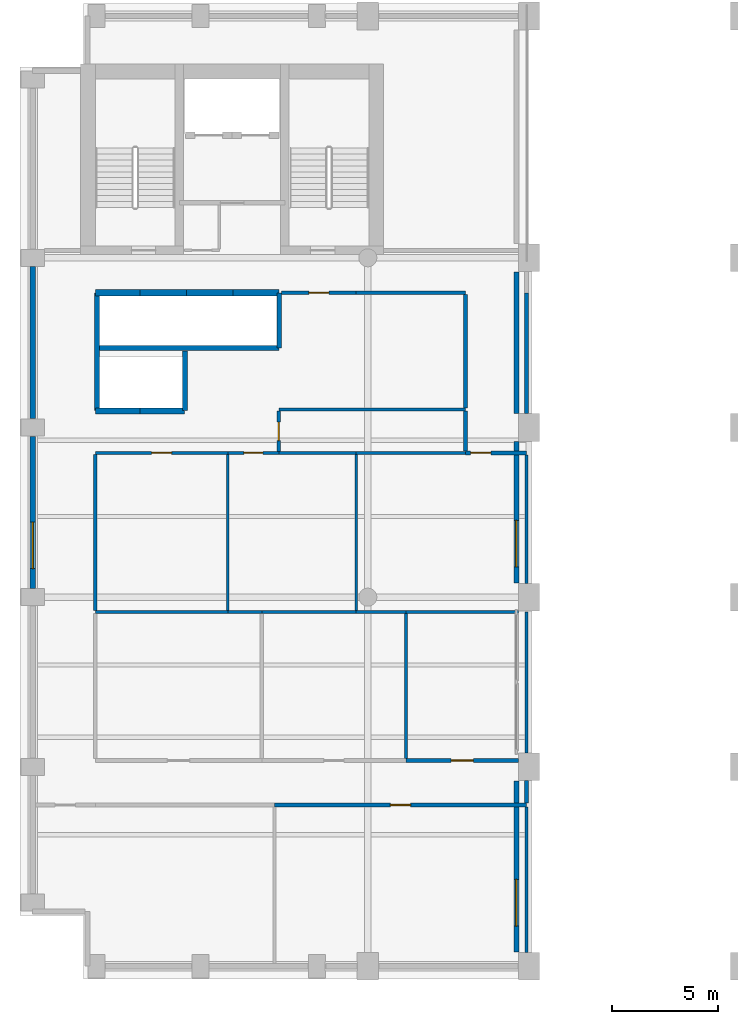
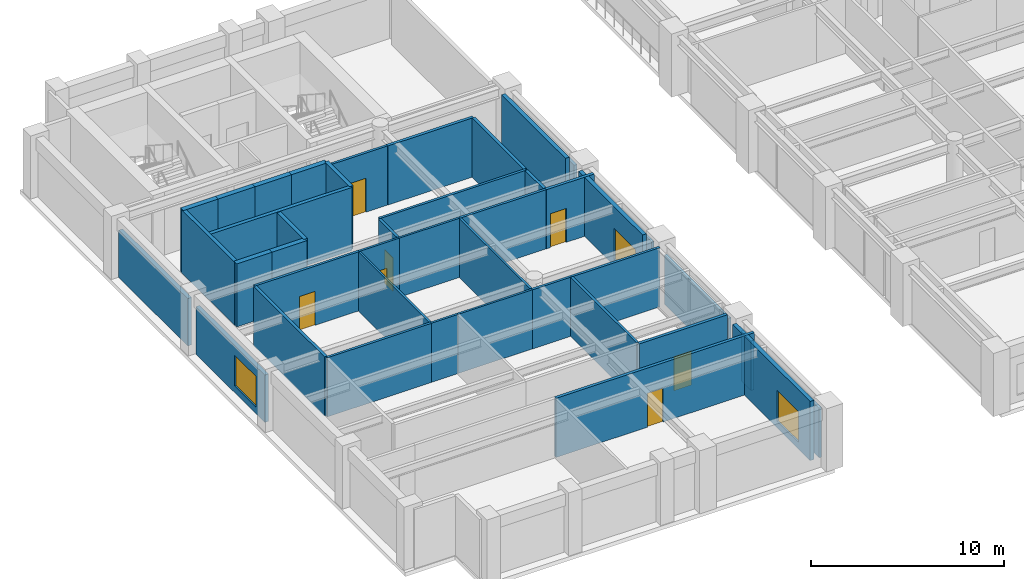
# One storey, part 5 of 10: 42 walls, 7 doors, 3 windows, 10 openings.
"""IFC4 building model written with IfcOpenShell, lengths in metres."""

from ifc_helpers import new_model, si_unit, direction, frame, frame_2d, origin, place, context, subcontext, project, spatial, rectangle, extrude, material, layer, layer_set, type_object, element, fill, save


model = new_model("IFC4")

# Units and contexts
model_context = context("Model", 3, precision=1e-05, world=origin(), true_north=direction((0.0, 1.0)))
body_context = subcontext(model_context, "Body", "Model", "MODEL_VIEW")
ifc_project = project(units=[si_unit("LENGTHUNIT", "METRE"), si_unit("AREAUNIT", "SQUARE_METRE"), si_unit("VOLUMEUNIT", "CUBIC_METRE"), si_unit("PLANEANGLEUNIT", "RADIAN"), si_unit("MASSUNIT", "GRAM", prefix="KILO")], contexts=[model_context])

# Site, building, storey
site_placement = place(None, origin())
site = spatial("IfcSite", under=ifc_project, at=site_placement, CompositionType="ELEMENT")
building_placement = place(site_placement, origin())
building = spatial("IfcBuilding", under=site, at=building_placement, Name="Sulina Concourse Tower", CompositionType="ELEMENT")
storey_placement = place(building_placement, frame((0.0, 0.0, 190.60009765625)))
storey = spatial("IfcBuildingStorey", under=building, at=storey_placement, Name="L46", CompositionType="ELEMENT", Elevation=190.60009765625)

# Walls
ifc_material_1 = material(Name="Concrete C50/60", Category="concrete")
ifc_layer_1 = layer(ifc_material_1, 0.219970703125)
ifc_layer_set_1 = layer_set([ifc_layer_1], Name="Concrete C50/60")
wall_type_1 = type_object("IfcWallType", Name="Core Lift Hoistway Divider Wall 220mm", PredefinedType="SOLIDWALL", material=ifc_layer_set_1)
wall_1_placement = place(storey_placement, frame((3.550048828125, 29.75, 0.0), z_axis=(0.0, 0.0, 1.0), x_axis=(1.0, 0.0, 0.0)))
element("IfcWall", 1, at=wall_1_placement, inside=storey, type_object=wall_type_1, Name="L46 shaft divider wall HW-LP3-S", PredefinedType="SOLIDWALL", context=body_context, shape_type="SweptSolid", body=[
    extrude(rectangle(XDim=8.64990234375, YDim=0.219970703125, at=frame_2d((4.324951171875, 0.0))), origin(), (0.0, 0.0, 1.0), 4.0),
])
wall_2_placement = place(storey_placement, frame((3.6298828125, 26.800048828125, 0.0), z_axis=(0.0, 0.0, 1.0), x_axis=(0.0, 1.0, 0.0)))
element("IfcWall", 2, at=wall_2_placement, inside=storey, type_object=wall_type_1, Name="L46 shaft divider wall HW-LP3-W", PredefinedType="SOLIDWALL", context=body_context, shape_type="SweptSolid", body=[
    extrude(rectangle(XDim=5.550048828125, YDim=0.219970703125, at=frame_2d((2.77490234375, 0.0))), origin(), (0.0, 0.0, 1.0), 4.0),
])
wall_3_placement = place(storey_placement, frame((7.780029296875, 26.800048828125, 0.0), z_axis=(0.0, 0.0, 1.0), x_axis=(0.0, 1.0, 0.0)))
element("IfcWall", 3, at=wall_3_placement, inside=storey, type_object=wall_type_1, Name="L46 shaft divider wall HW-EXP-E", PredefinedType="SOLIDWALL", context=body_context, shape_type="SweptSolid", body=[
    extrude(rectangle(XDim=2.800048828125, YDim=0.219970703125, at=frame_2d((1.39990234375, 0.0))), origin(), (0.0, 0.0, 1.0), 4.0),
])
wall_4_placement = place(storey_placement, frame((12.219970703125, 29.75, 0.0), z_axis=(0.0, 0.0, 1.0), x_axis=(0.0, 1.0, 0.0)))
element("IfcWall", 4, at=wall_4_placement, inside=storey, type_object=wall_type_1, Name="L46 shaft divider wall HW-LP3-E", PredefinedType="SOLIDWALL", context=body_context, shape_type="SweptSolid", body=[
    extrude(rectangle(XDim=2.60009765625, YDim=0.219970703125, at=frame_2d((1.300048828125, 0.0))), origin(), (0.0, 0.0, 1.0), 4.0),
])
ifc_material_2 = material(Name="Concrete C50/60", Category="concrete")
ifc_layer_2 = layer(ifc_material_2, 0.300048828125)
ifc_layer_set_2 = layer_set([ifc_layer_2], Name="Concrete C50/60")
wall_type_2 = type_object("IfcWallType", Name="Core Lift Hoistway Wall 300mm", PredefinedType="SOLIDWALL", material=ifc_layer_set_2)
wall_5_placement = place(storey_placement, frame((3.550048828125, 32.35009765625, 0.0), z_axis=(0.0, 0.0, 1.0), x_axis=(1.0, 0.0, 0.0)))
element("IfcWall", 5, at=wall_5_placement, inside=storey, type_object=wall_type_2, Name="L46 hoistway enclosure wall LP-09", PredefinedType="SOLIDWALL", context=body_context, shape_type="SweptSolid", body=[
    extrude(rectangle(XDim=2.099853515625, YDim=0.300048828125, at=frame_2d((1.0498046875, 0.0))), origin(), (0.0, 0.0, 1.0), 4.0),
])
wall_6_placement = place(storey_placement, frame((5.64990234375, 32.35009765625, 0.0), z_axis=(0.0, 0.0, 1.0), x_axis=(1.0, 0.0, 0.0)))
element("IfcWall", 6, at=wall_6_placement, inside=storey, type_object=wall_type_2, Name="L46 hoistway enclosure wall LP-10", PredefinedType="SOLIDWALL", context=body_context, shape_type="SweptSolid", body=[
    extrude(rectangle(XDim=2.2001953125, YDim=0.300048828125, at=frame_2d((1.10009765625, 0.0))), origin(), (0.0, 0.0, 1.0), 4.0),
])
wall_7_placement = place(storey_placement, frame((7.85009765625, 32.35009765625, 0.0), z_axis=(0.0, 0.0, 1.0), x_axis=(1.0, 0.0, 0.0)))
element("IfcWall", 7, at=wall_7_placement, inside=storey, type_object=wall_type_2, Name="L46 hoistway enclosure wall LP-11", PredefinedType="SOLIDWALL", context=body_context, shape_type="SweptSolid", body=[
    extrude(rectangle(XDim=2.199951171875, YDim=0.300048828125, at=frame_2d((1.10009765625, 0.0))), origin(), (0.0, 0.0, 1.0), 4.0),
])
wall_8_placement = place(storey_placement, frame((10.050048828125, 32.35009765625, 0.0), z_axis=(0.0, 0.0, 1.0), x_axis=(1.0, 0.0, 0.0)))
element("IfcWall", 8, at=wall_8_placement, inside=storey, type_object=wall_type_2, Name="L46 hoistway enclosure wall LP-12", PredefinedType="SOLIDWALL", context=body_context, shape_type="SweptSolid", body=[
    extrude(rectangle(XDim=2.14990234375, YDim=0.300048828125, at=frame_2d((1.074951171875, 0.0))), origin(), (0.0, 0.0, 1.0), 4.0),
])
wall_9_placement = place(storey_placement, frame((5.64990234375, 26.780029296875, 0.0), z_axis=(0.0, 0.0, 1.0), x_axis=(-1.0, 0.0, 0.0)))
element("IfcWall", 9, at=wall_9_placement, inside=storey, type_object=wall_type_2, Name="L46 hoistway enclosure wall EXP-1", PredefinedType="SOLIDWALL", context=body_context, shape_type="SweptSolid", body=[
    extrude(rectangle(XDim=2.099853515625, YDim=0.300048828125, at=frame_2d((1.0498046875, 0.0))), origin(), (0.0, 0.0, 1.0), 4.0),
])
wall_10_placement = place(storey_placement, frame((7.75, 26.780029296875, 0.0), z_axis=(0.0, 0.0, 1.0), x_axis=(-1.0, 0.0, 0.0)))
element("IfcWall", 10, at=wall_10_placement, inside=storey, type_object=wall_type_2, Name="L46 hoistway enclosure wall EXP-2", PredefinedType="SOLIDWALL", context=body_context, shape_type="SweptSolid", body=[
    extrude(rectangle(XDim=2.10009765625, YDim=0.300048828125, at=frame_2d((1.050048828125, 0.0))), origin(), (0.0, 0.0, 1.0), 4.0),
])

# Wall, opening, window
ifc_material_3 = material(Name="Precast concrete C50/60", Category="concrete")
ifc_layer_3 = layer(ifc_material_3, 0.239990234375)
ifc_layer_set_3 = layer_set([ifc_layer_3], Name="Precast concrete C50/60")
wall_type_3 = type_object("IfcWallType", Name="Crown Precast Masonry-Frame Facade Wall 240mm", PredefinedType="SOLIDWALL", material=ifc_layer_set_3)
wall_11_placement = place(storey_placement, frame((0.60009765625, 18.419921875, 0.0), z_axis=(0.0, 0.0, 1.0), x_axis=(0.0, 1.0, 0.0)))
wall_11 = element("IfcWall", 11, at=wall_11_placement, inside=storey, type_object=wall_type_3, Name="L46 exterior precast wall W3", PredefinedType="SOLIDWALL", context=body_context, shape_type="SweptSolid", body=[
    extrude(rectangle(XDim=7.16015625, YDim=0.239990234375, at=frame_2d((3.580078125, 0.0))), origin(), (0.0, 0.0, 1.0), 3.0),
])
opening_1_placement = place(wall_11_placement, frame((0.919921875, 0.0, 0.419921875)))
opening_1 = element("IfcOpeningElement", 12, at=opening_1_placement, cuts=wall_11, Name="Opening WN-76", PredefinedType="OPENING", context=body_context, shape_type="SweptSolid", body=[
    extrude(rectangle(XDim=2.199951171875, YDim=1.949951171875, at=frame_2d((1.10009765625, 0.97509765625))), frame((0.0, 0.1298828125, 0.0), z_axis=(0.0, -1.0, 0.0), x_axis=(1.0, 0.0, 0.0)), (0.0, 0.0, 1.0), 0.260009765625),
])
ifc_material_4 = material(Name="Low-E solar double glazing in bronze aluminium", Category="aluminium")
window_type = type_object("IfcWindowType", Name="Recessed Spandrel Window 2200x1950", PartitioningType="DOUBLE_PANEL_VERTICAL", PredefinedType="WINDOW", material=ifc_material_4)
window_1_placement = place(opening_1_placement, origin())
window_1 = element("IfcWindow", 13, at=window_1_placement, inside=storey, type_object=window_type, Name="L46 punched window W3-1", OverallHeight=1.949951171875, OverallWidth=2.199951171875, PartitioningType="SINGLE_PANEL", PredefinedType="WINDOW", context=body_context, shape_type="SweptSolid", body=[
    extrude(rectangle(XDim=2.199951171875, YDim=1.949951171875, at=frame_2d((1.10009765625, 0.97509765625))), frame((0.0, 0.030029296875, 0.0), z_axis=(0.0, -1.0, 0.0), x_axis=(1.0, 0.0, 0.0)), (0.0, 0.0, 1.0), 0.06005859375),
])
fill(opening_1, window_1)

# Wall
wall_12_placement = place(storey_placement, frame((0.60009765625, 26.419921875, 0.0), z_axis=(0.0, 0.0, 1.0), x_axis=(0.0, 1.0, 0.0)))
element("IfcWall", 14, at=wall_12_placement, inside=storey, type_object=wall_type_3, Name="L46 exterior precast wall W4", PredefinedType="SOLIDWALL", context=body_context, shape_type="SweptSolid", body=[
    extrude(rectangle(XDim=7.16015625, YDim=0.239990234375, at=frame_2d((3.580078125, 0.0))), origin(), (0.0, 0.0, 1.0), 3.0),
])

# Wall, opening, window
wall_13_placement = place(storey_placement, frame((23.39990234375, 9.330078125, 0.0), z_axis=(0.0, 0.0, 1.0), x_axis=(0.0, -1.0, 0.0)))
wall_13 = element("IfcWall", 15, at=wall_13_placement, inside=storey, type_object=wall_type_3, Name="L46 exterior precast wall PW1", PredefinedType="SOLIDWALL", context=body_context, shape_type="SweptSolid", body=[
    extrude(rectangle(XDim=8.06005859375, YDim=0.239990234375, at=frame_2d((4.030029296875, 0.0))), origin(), (0.0, 0.0, 1.0), 3.75),
])
opening_2_placement = place(wall_13_placement, frame((4.639892578125, 0.0, 0.419921875)))
opening_2 = element("IfcOpeningElement", 16, at=opening_2_placement, cuts=wall_13, Name="Opening WN-76", PredefinedType="OPENING", context=body_context, shape_type="SweptSolid", body=[
    extrude(rectangle(XDim=2.199951171875, YDim=1.949951171875, at=frame_2d((1.10009765625, 0.97509765625))), frame((0.0, 0.1298828125, 0.0), z_axis=(0.0, -1.0, 0.0), x_axis=(1.0, 0.0, 0.0)), (0.0, 0.0, 1.0), 0.260009765625),
])
window_2_placement = place(opening_2_placement, origin())
window_2 = element("IfcWindow", 17, at=window_2_placement, inside=storey, type_object=window_type, Name="L46 punched window PW1-1", OverallHeight=1.949951171875, OverallWidth=2.199951171875, PartitioningType="SINGLE_PANEL", PredefinedType="WINDOW", context=body_context, shape_type="SweptSolid", body=[
    extrude(rectangle(XDim=2.199951171875, YDim=1.949951171875, at=frame_2d((1.10009765625, 0.97509765625))), frame((0.0, 0.030029296875, 0.0), z_axis=(0.0, -1.0, 0.0), x_axis=(1.0, 0.0, 0.0)), (0.0, 0.0, 1.0), 0.06005859375),
])
fill(opening_2, window_2)

wall_14_placement = place(storey_placement, frame((23.39990234375, 25.330078125, 0.0), z_axis=(0.0, 0.0, 1.0), x_axis=(0.0, -1.0, 0.0)))
wall_14 = element("IfcWall", 18, at=wall_14_placement, inside=storey, type_object=wall_type_3, Name="L46 exterior precast wall PW3", PredefinedType="SOLIDWALL", context=body_context, shape_type="SweptSolid", body=[
    extrude(rectangle(XDim=6.66015625, YDim=0.239990234375, at=frame_2d((3.330078125, 0.0))), origin(), (0.0, 0.0, 1.0), 3.75),
])
opening_3_placement = place(wall_14_placement, frame((3.706787109375, 0.0, 0.419921875)))
opening_3 = element("IfcOpeningElement", 19, at=opening_3_placement, cuts=wall_14, Name="Opening WN-76", PredefinedType="OPENING", context=body_context, shape_type="SweptSolid", body=[
    extrude(rectangle(XDim=2.199951171875, YDim=1.949951171875, at=frame_2d((1.10009765625, 0.97509765625))), frame((0.0, 0.1298828125, 0.0), z_axis=(0.0, -1.0, 0.0), x_axis=(1.0, 0.0, 0.0)), (0.0, 0.0, 1.0), 0.260009765625),
])
window_3_placement = place(opening_3_placement, origin())
window_3 = element("IfcWindow", 20, at=window_3_placement, inside=storey, type_object=window_type, Name="L46 punched window PW3-1", OverallHeight=1.949951171875, OverallWidth=2.199951171875, PartitioningType="SINGLE_PANEL", PredefinedType="WINDOW", context=body_context, shape_type="SweptSolid", body=[
    extrude(rectangle(XDim=2.199951171875, YDim=1.949951171875, at=frame_2d((1.10009765625, 0.97509765625))), frame((0.0, 0.030029296875, 0.0), z_axis=(0.0, -1.0, 0.0), x_axis=(1.0, 0.0, 0.0)), (0.0, 0.0, 1.0), 0.06005859375),
])
fill(opening_3, window_3)

# Walls
wall_15_placement = place(storey_placement, frame((23.39990234375, 33.330078125, 0.0), z_axis=(0.0, 0.0, 1.0), x_axis=(0.0, -1.0, 0.0)))
element("IfcWall", 21, at=wall_15_placement, inside=storey, type_object=wall_type_3, Name="L46 exterior precast wall PW4", PredefinedType="SOLIDWALL", context=body_context, shape_type="SweptSolid", body=[
    extrude(rectangle(XDim=6.66015625, YDim=0.239990234375, at=frame_2d((3.330078125, 0.0))), origin(), (0.0, 0.0, 1.0), 3.75),
])
ifc_material_5 = material(Name="Gypsum board on steel stud", Category="steel")
ifc_layer_4 = layer(ifc_material_5, 0.14990234375)
ifc_layer_set_4 = layer_set([ifc_layer_4], Name="Gypsum board on steel stud")
wall_type_4 = type_object("IfcWallType", Name="Inter-Tenancy Acoustic Partition 150mm", PredefinedType="PARTITIONING", material=ifc_layer_set_4)
wall_16_placement = place(storey_placement, frame((3.550048828125, 17.300048828125, 0.0), z_axis=(0.0, 0.0, 1.0), x_axis=(1.0, 0.0, 0.0)))
element("IfcWall", 22, at=wall_16_placement, inside=storey, type_object=wall_type_4, Name="L46 interior partition 013", PredefinedType="PARTITIONING", context=body_context, shape_type="SweptSolid", body=[
    extrude(rectangle(XDim=6.25, YDim=0.14990234375, at=frame_2d((3.125, 0.0))), origin(), (0.0, 0.0, 1.0), 3.75),
])
wall_17_placement = place(storey_placement, frame((15.85009765625, 17.300048828125, 0.0), z_axis=(0.0, 0.0, 1.0), x_axis=(1.0, 0.0, 0.0)))
element("IfcWall", 23, at=wall_17_placement, inside=storey, type_object=wall_type_4, Name="L46 interior partition 016", PredefinedType="PARTITIONING", context=body_context, shape_type="SweptSolid", body=[
    extrude(rectangle(XDim=2.349853515625, YDim=0.14990234375, at=frame_2d((1.1748046875, 0.0))), origin(), (0.0, 0.0, 1.0), 3.75),
])
wall_18_placement = place(storey_placement, frame((18.199951171875, 17.300048828125, 0.0), z_axis=(0.0, 0.0, 1.0), x_axis=(1.0, 0.0, 0.0)))
element("IfcWall", 24, at=wall_18_placement, inside=storey, type_object=wall_type_4, Name="L46 interior partition 017", PredefinedType="PARTITIONING", context=body_context, shape_type="SweptSolid", body=[
    extrude(rectangle(XDim=5.300048828125, YDim=0.14990234375, at=frame_2d((2.64990234375, 0.0))), origin(), (0.0, 0.0, 1.0), 3.75),
])

# Wall, opening, door
wall_19_placement = place(storey_placement, frame((3.550048828125, 24.800048828125, 0.0), z_axis=(0.0, 0.0, 1.0), x_axis=(1.0, 0.0, 0.0)))
wall_19 = element("IfcWall", 25, at=wall_19_placement, inside=storey, type_object=wall_type_4, Name="L46 interior partition 019", PredefinedType="PARTITIONING", context=body_context, shape_type="SweptSolid", body=[
    extrude(rectangle(XDim=6.25, YDim=0.14990234375, at=frame_2d((3.125, 0.0))), origin(), (0.0, 0.0, 1.0), 3.75),
])
opening_4_placement = place(wall_19_placement, frame((2.64990234375, 0.0, 0.0)))
opening_4 = element("IfcOpeningElement", 26, at=opening_4_placement, cuts=wall_19, Name="Opening DR-19", PredefinedType="OPENING", context=body_context, shape_type="SweptSolid", body=[
    extrude(rectangle(XDim=0.949951171875, YDim=2.14990234375, at=frame_2d((0.47509765625, 1.074951171875))), frame((0.0, 0.0849609375, 0.0), z_axis=(0.0, -1.0, 0.0), x_axis=(1.0, 0.0, 0.0)), (0.0, 0.0, 1.0), 0.169921875),
])
ifc_material_6 = material(Name="Oak-veneered acoustic timber leaf", Category="wood")
ifc_layer_5 = layer(ifc_material_6, 0.050048828125)
ifc_layer_set_5 = layer_set([ifc_layer_5], Name="Oak-veneered acoustic timber leaf")
door_type_1 = type_object("IfcDoorType", Name="Cellular Office & Meeting Door 950x2150", OperationType="NOTDEFINED", PredefinedType="DOOR", material=ifc_layer_set_5)
door_1_placement = place(opening_4_placement, origin())
door_1 = element("IfcDoor", 27, at=door_1_placement, inside=storey, type_object=door_type_1, Name="L46 interior door L46-LR-MRG1", OperationType="SINGLE_SWING_LEFT", OverallHeight=2.14990234375, OverallWidth=0.949951171875, PredefinedType="DOOR", context=body_context, shape_type="SweptSolid", body=[
    extrude(rectangle(XDim=0.949951171875, YDim=2.14990234375, at=frame_2d((0.47509765625, 1.074951171875))), frame((0.0, 0.02490234375, 0.0), z_axis=(0.0, -1.0, 0.0), x_axis=(1.0, 0.0, 0.0)), (0.0, 0.0, 1.0), 0.050048828125),
])
fill(opening_4, door_1)

# Walls
wall_20_placement = place(storey_placement, frame((15.85009765625, 24.800048828125, 0.0), z_axis=(0.0, 0.0, 1.0), x_axis=(1.0, 0.0, 0.0)))
element("IfcWall", 28, at=wall_20_placement, inside=storey, type_object=wall_type_4, Name="L46 interior partition 022", PredefinedType="PARTITIONING", context=body_context, shape_type="SweptSolid", body=[
    extrude(rectangle(XDim=5.14990234375, YDim=0.14990234375, at=frame_2d((2.574951171875, 0.0))), origin(), (0.0, 0.0, 1.0), 3.75),
])
wall_21_placement = place(storey_placement, frame((12.199951171875, 26.85009765625, 0.0), z_axis=(0.0, 0.0, 1.0), x_axis=(1.0, 0.0, 0.0)))
element("IfcWall", 29, at=wall_21_placement, inside=storey, type_object=wall_type_4, Name="L46 interior partition 024", PredefinedType="PARTITIONING", context=body_context, shape_type="SweptSolid", body=[
    extrude(rectangle(XDim=8.800048828125, YDim=0.14990234375, at=frame_2d((4.39990234375, 0.0))), origin(), (0.0, 0.0, 1.0), 3.75),
])

# Wall, opening, door
wall_22_placement = place(storey_placement, frame((12.330078125, 32.35009765625, 0.0), z_axis=(0.0, 0.0, 1.0), x_axis=(1.0, 0.0, 0.0)))
wall_22 = element("IfcWall", 30, at=wall_22_placement, inside=storey, type_object=wall_type_4, Name="L46 interior partition 027", PredefinedType="PARTITIONING", context=body_context, shape_type="SweptSolid", body=[
    extrude(rectangle(XDim=3.52001953125, YDim=0.14990234375, at=frame_2d((1.760009765625, 0.0))), origin(), (0.0, 0.0, 1.0), 3.75),
])
opening_5_placement = place(wall_22_placement, frame((1.284912109375, 0.0, 0.0)))
opening_5 = element("IfcOpeningElement", 31, at=opening_5_placement, cuts=wall_22, Name="Opening DR-19", PredefinedType="OPENING", context=body_context, shape_type="SweptSolid", body=[
    extrude(rectangle(XDim=0.949951171875, YDim=2.14990234375, at=frame_2d((0.47509765625, 1.074951171875))), frame((0.0, 0.0849609375, 0.0), z_axis=(0.0, -1.0, 0.0), x_axis=(1.0, 0.0, 0.0)), (0.0, 0.0, 1.0), 0.169921875),
])
door_2_placement = place(opening_5_placement, origin())
door_2 = element("IfcDoor", 32, at=door_2_placement, inside=storey, type_object=door_type_1, Name="L46 interior door L46-MR-MRG2", OperationType="SINGLE_SWING_RIGHT", OverallHeight=2.14990234375, OverallWidth=0.949951171875, PredefinedType="DOOR", context=body_context, shape_type="SweptSolid", body=[
    extrude(rectangle(XDim=0.949951171875, YDim=2.14990234375, at=frame_2d((0.47509765625, 1.074951171875))), frame((0.0, 0.02490234375, 0.0), z_axis=(0.0, -1.0, 0.0), x_axis=(1.0, 0.0, 0.0)), (0.0, 0.0, 1.0), 0.050048828125),
])
fill(opening_5, door_2)

wall_23_placement = place(storey_placement, frame((12.199951171875, 24.862548828125, 0.0), z_axis=(0.0, 0.0, 1.0), x_axis=(0.0, 1.0, 0.0)))
wall_23 = element("IfcWall", 33, at=wall_23_placement, inside=storey, type_object=wall_type_4, Name="L46 interior partition 045", PredefinedType="PARTITIONING", context=body_context, shape_type="SweptSolid", body=[
    extrude(rectangle(XDim=1.912353515625, YDim=0.14990234375, at=frame_2d((0.9560546875, 0.0))), origin(), (0.0, 0.0, 1.0), 3.75),
])
opening_6_placement = place(wall_23_placement, frame((0.51611328125, 0.0, 0.0)))
opening_6 = element("IfcOpeningElement", 34, at=opening_6_placement, cuts=wall_23, Name="Opening DR-38", PredefinedType="OPENING", context=body_context, shape_type="SweptSolid", body=[
    extrude(rectangle(XDim=0.8798828125, YDim=2.10009765625, at=frame_2d((0.43994140625, 1.050048828125))), frame((0.0, 0.0849609375, 0.0), z_axis=(0.0, -1.0, 0.0), x_axis=(1.0, 0.0, 0.0)), (0.0, 0.0, 1.0), 0.169921875),
])
ifc_material_7 = material(Name="Galvanised steel acoustic fire leaf", Category="steel")
ifc_layer_6 = layer(ifc_material_7, 0.050048828125)
ifc_layer_set_6 = layer_set([ifc_layer_6], Name="Galvanised steel acoustic fire leaf")
door_type_2 = type_object("IfcDoorType", Name="Service Riser Fire Door 880x2100", OperationType="NOTDEFINED", PredefinedType="DOOR", material=ifc_layer_set_6)
door_3_placement = place(opening_6_placement, origin())
door_3 = element("IfcDoor", 35, at=door_3_placement, inside=storey, type_object=door_type_2, Name="L46 interior door L46-MR-MRG1", OperationType="SINGLE_SWING_RIGHT", OverallHeight=2.10009765625, OverallWidth=0.8798828125, PredefinedType="DOOR", context=body_context, shape_type="SweptSolid", body=[
    extrude(rectangle(XDim=0.8798828125, YDim=2.10009765625, at=frame_2d((0.43994140625, 1.050048828125))), frame((0.0, 0.02490234375, 0.0), z_axis=(0.0, -1.0, 0.0), x_axis=(1.0, 0.0, 0.0)), (0.0, 0.0, 1.0), 0.050048828125),
])
fill(opening_6, door_3)

# Walls
wall_24_placement = place(storey_placement, frame((18.199951171875, 10.389892578125, 0.0), z_axis=(0.0, 0.0, 1.0), x_axis=(0.0, 1.0, 0.0)))
element("IfcWall", 36, at=wall_24_placement, inside=storey, type_object=wall_type_4, Name="L46 interior partition 047", PredefinedType="PARTITIONING", context=body_context, shape_type="SweptSolid", body=[
    extrude(rectangle(XDim=6.835205078125, YDim=0.14990234375, at=frame_2d((3.41748046875, 0.0))), origin(), (0.0, 0.0, 1.0), 3.75),
])
wall_25_placement = place(storey_placement, frame((23.8798828125, 1.25, 0.0), z_axis=(0.0, 0.0, 1.0), x_axis=(0.0, 1.0, 0.0)))
element("IfcWall", 37, at=wall_25_placement, inside=storey, type_object=wall_type_4, Name="L46 interior partition 050", PredefinedType="PARTITIONING", context=body_context, shape_type="SweptSolid", body=[
    extrude(rectangle(XDim=6.860107421875, YDim=0.14990234375, at=frame_2d((3.43017578125, 0.0))), origin(), (0.0, 0.0, 1.0), 3.14501953125),
])
wall_26_placement = place(storey_placement, frame((23.8798828125, 10.64990234375, 0.0), z_axis=(0.0, 0.0, 1.0), x_axis=(0.0, 1.0, 0.0)))
element("IfcWall", 38, at=wall_26_placement, inside=storey, type_object=wall_type_4, Name="L46 interior partition 052", PredefinedType="PARTITIONING", context=body_context, shape_type="SweptSolid", body=[
    extrude(rectangle(XDim=6.650146484375, YDim=0.14990234375, at=frame_2d((3.3251953125, 0.0))), origin(), (0.0, 0.0, 1.0), 3.14501953125),
])
wall_27_placement = place(storey_placement, frame((23.8798828125, 18.64990234375, 0.0), z_axis=(0.0, 0.0, 1.0), x_axis=(0.0, 1.0, 0.0)))
element("IfcWall", 39, at=wall_27_placement, inside=storey, type_object=wall_type_4, Name="L46 interior partition 053", PredefinedType="PARTITIONING", context=body_context, shape_type="SweptSolid", body=[
    extrude(rectangle(XDim=6.06005859375, YDim=0.14990234375, at=frame_2d((3.030029296875, 0.0))), origin(), (0.0, 0.0, 1.0), 3.14501953125),
])

# Wall, opening, door
ifc_material_8 = material(Name="Gypsum board on steel stud", Category="steel")
ifc_layer_7 = layer(ifc_material_8, 0.179931640625)
ifc_layer_set_7 = layer_set([ifc_layer_7], Name="Gypsum board on steel stud")
wall_type_5 = type_object("IfcWallType", Name="Protected Corridor & Riser Partition 180mm", PredefinedType="PARTITIONING", material=ifc_layer_set_7)
wall_28_placement = place(storey_placement, frame((12.0, 8.199951171875, 0.0), z_axis=(0.0, 0.0, 1.0), x_axis=(1.0, 0.0, 0.0)))
wall_28 = element("IfcWall", 40, at=wall_28_placement, inside=storey, type_object=wall_type_5, Name="L46 interior partition 003", PredefinedType="PARTITIONING", context=body_context, shape_type="SweptSolid", body=[
    extrude(rectangle(XDim=11.8798828125, YDim=0.179931640625, at=frame_2d((5.93994140625, 0.0))), origin(), (0.0, 0.0, 1.0), 3.75),
])
opening_7_placement = place(wall_28_placement, frame((5.465087890625, 0.0, 0.0)))
opening_7 = element("IfcOpeningElement", 41, at=opening_7_placement, cuts=wall_28, Name="Opening DR-19", PredefinedType="OPENING", context=body_context, shape_type="SweptSolid", body=[
    extrude(rectangle(XDim=0.949951171875, YDim=2.14990234375, at=frame_2d((0.47509765625, 1.074951171875))), frame((0.0, 0.099853515625, 0.0), z_axis=(0.0, -1.0, 0.0), x_axis=(1.0, 0.0, 0.0)), (0.0, 0.0, 1.0), 0.199951171875),
])
door_4_placement = place(opening_7_placement, origin())
door_4 = element("IfcDoor", 42, at=door_4_placement, inside=storey, type_object=door_type_1, Name="L46 interior door L46-REC-WU1", OperationType="SINGLE_SWING_LEFT", OverallHeight=2.14990234375, OverallWidth=0.949951171875, PredefinedType="DOOR", context=body_context, shape_type="SweptSolid", body=[
    extrude(rectangle(XDim=0.949951171875, YDim=2.14990234375, at=frame_2d((0.47509765625, 1.074951171875))), frame((0.0, 0.02490234375, 0.0), z_axis=(0.0, -1.0, 0.0), x_axis=(1.0, 0.0, 0.0)), (0.0, 0.0, 1.0), 0.050048828125),
])
fill(opening_7, door_4)

wall_29_placement = place(storey_placement, frame((18.199951171875, 10.300048828125, 0.0), z_axis=(0.0, 0.0, 1.0), x_axis=(1.0, 0.0, 0.0)))
wall_29 = element("IfcWall", 43, at=wall_29_placement, inside=storey, type_object=wall_type_5, Name="L46 interior partition 006", PredefinedType="PARTITIONING", context=body_context, shape_type="SweptSolid", body=[
    extrude(rectangle(XDim=5.300048828125, YDim=0.179931640625, at=frame_2d((2.64990234375, 0.0))), origin(), (0.0, 0.0, 1.0), 3.75),
])
opening_8_placement = place(wall_29_placement, frame((2.125, 0.0, 0.0)))
opening_8 = element("IfcOpeningElement", 44, at=opening_8_placement, cuts=wall_29, Name="Opening DR-37", PredefinedType="OPENING", context=body_context, shape_type="SweptSolid", body=[
    extrude(rectangle(XDim=1.050048828125, YDim=2.14990234375, at=frame_2d((0.52490234375, 1.074951171875))), frame((0.0, 0.099853515625, 0.0), z_axis=(0.0, -1.0, 0.0), x_axis=(1.0, 0.0, 0.0)), (0.0, 0.0, 1.0), 0.199951171875),
])
ifc_material_9 = material(Name="Oak-veneered fire door leaf")
ifc_layer_8 = layer(ifc_material_9, 0.050048828125)
ifc_layer_set_8 = layer_set([ifc_layer_8], Name="Oak-veneered fire door leaf")
door_type_3 = type_object("IfcDoorType", Name="Tenant Suite Entrance Fire Door 1050x2150", OperationType="NOTDEFINED", PredefinedType="DOOR", material=ifc_layer_set_8)
door_5_placement = place(opening_8_placement, origin())
door_5 = element("IfcDoor", 45, at=door_5_placement, inside=storey, type_object=door_type_3, Name="L46 interior door L46-PNT-WU1", OperationType="SINGLE_SWING_RIGHT", OverallHeight=2.14990234375, OverallWidth=1.050048828125, PredefinedType="DOOR", context=body_context, shape_type="SweptSolid", body=[
    extrude(rectangle(XDim=1.050048828125, YDim=2.14990234375, at=frame_2d((0.52490234375, 1.074951171875))), frame((0.0, 0.02490234375, 0.0), z_axis=(0.0, -1.0, 0.0), x_axis=(1.0, 0.0, 0.0)), (0.0, 0.0, 1.0), 0.050048828125),
])
fill(opening_8, door_5)

wall_30_placement = place(storey_placement, frame((21.0, 24.800048828125, 0.0), z_axis=(0.0, 0.0, 1.0), x_axis=(1.0, 0.0, 0.0)))
wall_30 = element("IfcWall", 46, at=wall_30_placement, inside=storey, type_object=wall_type_5, Name="L46 interior partition 023", PredefinedType="PARTITIONING", context=body_context, shape_type="SweptSolid", body=[
    extrude(rectangle(XDim=2.8798828125, YDim=0.179931640625, at=frame_2d((1.43994140625, 0.0))), origin(), (0.0, 0.0, 1.0), 3.75),
])
opening_9_placement = place(wall_30_placement, frame((0.2451171875, 0.0, 0.0)))
opening_9 = element("IfcOpeningElement", 47, at=opening_9_placement, cuts=wall_30, Name="Opening DR-19", PredefinedType="OPENING", context=body_context, shape_type="SweptSolid", body=[
    extrude(rectangle(XDim=0.949951171875, YDim=2.14990234375, at=frame_2d((0.47509765625, 1.074951171875))), frame((0.0, 0.099853515625, 0.0), z_axis=(0.0, -1.0, 0.0), x_axis=(1.0, 0.0, 0.0)), (0.0, 0.0, 1.0), 0.199951171875),
])
door_6_placement = place(opening_9_placement, origin())
door_6 = element("IfcDoor", 48, at=door_6_placement, inside=storey, type_object=door_type_1, Name="L46 interior door L46-STD-WU2", OperationType="SINGLE_SWING_LEFT", OverallHeight=2.14990234375, OverallWidth=0.949951171875, PredefinedType="DOOR", context=body_context, shape_type="SweptSolid", body=[
    extrude(rectangle(XDim=0.949951171875, YDim=2.14990234375, at=frame_2d((0.47509765625, 1.074951171875))), frame((0.0, 0.02490234375, 0.0), z_axis=(0.0, -1.0, 0.0), x_axis=(1.0, 0.0, 0.0)), (0.0, 0.0, 1.0), 0.050048828125),
])
fill(opening_9, door_6)

# Walls
wall_31_placement = place(storey_placement, frame((15.85009765625, 32.35009765625, 0.0), z_axis=(0.0, 0.0, 1.0), x_axis=(1.0, 0.0, 0.0)))
element("IfcWall", 49, at=wall_31_placement, inside=storey, type_object=wall_type_5, Name="L46 interior partition 028", PredefinedType="PARTITIONING", context=body_context, shape_type="SweptSolid", body=[
    extrude(rectangle(XDim=5.14990234375, YDim=0.179931640625, at=frame_2d((2.574951171875, 0.0))), origin(), (0.0, 0.0, 1.0), 3.75),
])
wall_32_placement = place(storey_placement, frame((3.550048828125, 17.375, 0.0), z_axis=(0.0, 0.0, 1.0), x_axis=(0.0, 1.0, 0.0)))
element("IfcWall", 50, at=wall_32_placement, inside=storey, type_object=wall_type_5, Name="L46 interior partition 040", PredefinedType="PARTITIONING", context=body_context, shape_type="SweptSolid", body=[
    extrude(rectangle(XDim=7.35009765625, YDim=0.179931640625, at=frame_2d((3.675048828125, 0.0))), origin(), (0.0, 0.0, 1.0), 3.75),
])
wall_33_placement = place(storey_placement, frame((21.0, 24.889892578125, 0.0), z_axis=(0.0, 0.0, 1.0), x_axis=(0.0, 1.0, 0.0)))
element("IfcWall", 51, at=wall_33_placement, inside=storey, type_object=wall_type_5, Name="L46 interior partition 048", PredefinedType="PARTITIONING", context=body_context, shape_type="SweptSolid", body=[
    extrude(rectangle(XDim=1.885009765625, YDim=0.179931640625, at=frame_2d((0.9423828125, 0.0))), origin(), (0.0, 0.0, 1.0), 3.75),
])
wall_34_placement = place(storey_placement, frame((21.0, 26.925048828125, 0.0), z_axis=(0.0, 0.0, 1.0), x_axis=(0.0, 1.0, 0.0)))
element("IfcWall", 52, at=wall_34_placement, inside=storey, type_object=wall_type_5, Name="L46 interior partition 049", PredefinedType="PARTITIONING", context=body_context, shape_type="SweptSolid", body=[
    extrude(rectangle(XDim=5.3349609375, YDim=0.179931640625, at=frame_2d((2.66748046875, 0.0))), origin(), (0.0, 0.0, 1.0), 3.75),
])
wall_35_placement = place(storey_placement, frame((23.8798828125, 8.2900390625, 0.0), z_axis=(0.0, 0.0, 1.0), x_axis=(0.0, 1.0, 0.0)))
element("IfcWall", 53, at=wall_35_placement, inside=storey, type_object=wall_type_5, Name="L46 interior partition 051", PredefinedType="PARTITIONING", context=body_context, shape_type="SweptSolid", body=[
    extrude(rectangle(XDim=1.06005859375, YDim=0.179931640625, at=frame_2d((0.530029296875, 0.0))), origin(), (0.0, 0.0, 1.0), 3.14501953125),
])
wall_36_placement = place(storey_placement, frame((23.8798828125, 26.64990234375, 0.0), z_axis=(0.0, 0.0, 1.0), x_axis=(0.0, 1.0, 0.0)))
element("IfcWall", 54, at=wall_36_placement, inside=storey, type_object=wall_type_5, Name="L46 interior partition 054", PredefinedType="PARTITIONING", context=body_context, shape_type="SweptSolid", body=[
    extrude(rectangle(XDim=5.7001953125, YDim=0.179931640625, at=frame_2d((2.85009765625, 0.0))), origin(), (0.0, 0.0, 1.0), 3.14501953125),
])
ifc_material_10 = material(Name="Gypsum board on steel stud", Category="steel")
ifc_layer_9 = layer(ifc_material_10, 0.125)
ifc_layer_set_9 = layer_set([ifc_layer_9], Name="Gypsum board on steel stud")
wall_type_6 = type_object("IfcWallType", Name="Wet-Area Moisture-Resistant Partition 125mm", PredefinedType="PARTITIONING", material=ifc_layer_set_9)
wall_37_placement = place(storey_placement, frame((9.800048828125, 17.300048828125, 0.0), z_axis=(0.0, 0.0, 1.0), x_axis=(1.0, 0.0, 0.0)))
element("IfcWall", 55, at=wall_37_placement, inside=storey, type_object=wall_type_6, Name="L46 interior partition 014", PredefinedType="PARTITIONING", context=body_context, shape_type="SweptSolid", body=[
    extrude(rectangle(XDim=1.599853515625, YDim=0.125, at=frame_2d((0.7998046875, 0.0))), origin(), (0.0, 0.0, 1.0), 3.75),
])
wall_38_placement = place(storey_placement, frame((11.39990234375, 17.300048828125, 0.0), z_axis=(0.0, 0.0, 1.0), x_axis=(1.0, 0.0, 0.0)))
element("IfcWall", 56, at=wall_38_placement, inside=storey, type_object=wall_type_6, Name="L46 interior partition 015", PredefinedType="PARTITIONING", context=body_context, shape_type="SweptSolid", body=[
    extrude(rectangle(XDim=4.4501953125, YDim=0.125, at=frame_2d((2.22509765625, 0.0))), origin(), (0.0, 0.0, 1.0), 3.75),
])

# Wall, opening, door
wall_39_placement = place(storey_placement, frame((9.800048828125, 24.800048828125, 0.0), z_axis=(0.0, 0.0, 1.0), x_axis=(1.0, 0.0, 0.0)))
wall_39 = element("IfcWall", 57, at=wall_39_placement, inside=storey, type_object=wall_type_6, Name="L46 interior partition 020", PredefinedType="PARTITIONING", context=body_context, shape_type="SweptSolid", body=[
    extrude(rectangle(XDim=2.39990234375, YDim=0.125, at=frame_2d((1.199951171875, 0.0))), origin(), (0.0, 0.0, 1.0), 3.75),
])
opening_10_placement = place(wall_39_placement, frame((0.75, 0.0, 0.0)))
opening_10 = element("IfcOpeningElement", 58, at=opening_10_placement, cuts=wall_39, Name="Opening DR-21", PredefinedType="OPENING", context=body_context, shape_type="SweptSolid", body=[
    extrude(rectangle(XDim=0.89990234375, YDim=2.10009765625, at=frame_2d((0.449951171875, 1.050048828125))), frame((0.0, 0.072509765625, 0.0), z_axis=(0.0, -1.0, 0.0), x_axis=(1.0, 0.0, 0.0)), (0.0, 0.0, 1.0), 0.14501953125),
])
ifc_material_11 = material(Name="Oak-veneered fire door leaf")
ifc_layer_10 = layer(ifc_material_11, 0.050048828125)
ifc_layer_set_10 = layer_set([ifc_layer_10], Name="Oak-veneered fire door leaf")
door_type_4 = type_object("IfcDoorType", Name="Restroom & Service Door 900x2100", OperationType="NOTDEFINED", PredefinedType="DOOR", material=ifc_layer_set_10)
door_7_placement = place(opening_10_placement, origin())
door_7 = element("IfcDoor", 59, at=door_7_placement, inside=storey, type_object=door_type_4, Name="L46 interior door L46-LR-MRG2", OperationType="SINGLE_SWING_RIGHT", OverallHeight=2.10009765625, OverallWidth=0.89990234375, PredefinedType="DOOR", context=body_context, shape_type="SweptSolid", body=[
    extrude(rectangle(XDim=0.89990234375, YDim=2.10009765625, at=frame_2d((0.449951171875, 1.050048828125))), frame((0.0, 0.02490234375, 0.0), z_axis=(0.0, -1.0, 0.0), x_axis=(1.0, 0.0, 0.0)), (0.0, 0.0, 1.0), 0.050048828125),
])
fill(opening_10, door_7)

# Walls
wall_40_placement = place(storey_placement, frame((12.199951171875, 24.800048828125, 0.0), z_axis=(0.0, 0.0, 1.0), x_axis=(1.0, 0.0, 0.0)))
element("IfcWall", 60, at=wall_40_placement, inside=storey, type_object=wall_type_6, Name="L46 interior partition 021", PredefinedType="PARTITIONING", context=body_context, shape_type="SweptSolid", body=[
    extrude(rectangle(XDim=3.650146484375, YDim=0.125, at=frame_2d((1.8251953125, 0.0))), origin(), (0.0, 0.0, 1.0), 3.75),
])
for number, where, z_axis, x_axis, name in (
    (61, (9.800048828125, 17.375, 0.0), (0.0, 0.0, 1.0), (0.0, 1.0, 0.0), "L46 interior partition 042"),
    (62, (15.85009765625, 17.375, 0.0), (0.0, 0.0, 1.0), (0.0, 1.0, 0.0), "L46 interior partition 046"),
):
    element("IfcWall", number, at=place(storey_placement, frame(where, z_axis=z_axis, x_axis=x_axis)), inside=storey, type_object=wall_type_6, Name=name, PredefinedType="PARTITIONING", context=body_context, shape_type="SweptSolid", body=[
        extrude(rectangle(XDim=7.35009765625, YDim=0.125, at=frame_2d((3.675048828125, 0.0))), origin(), (0.0, 0.0, 1.0), 3.75),
    ])

save(model, "model.ifc")
